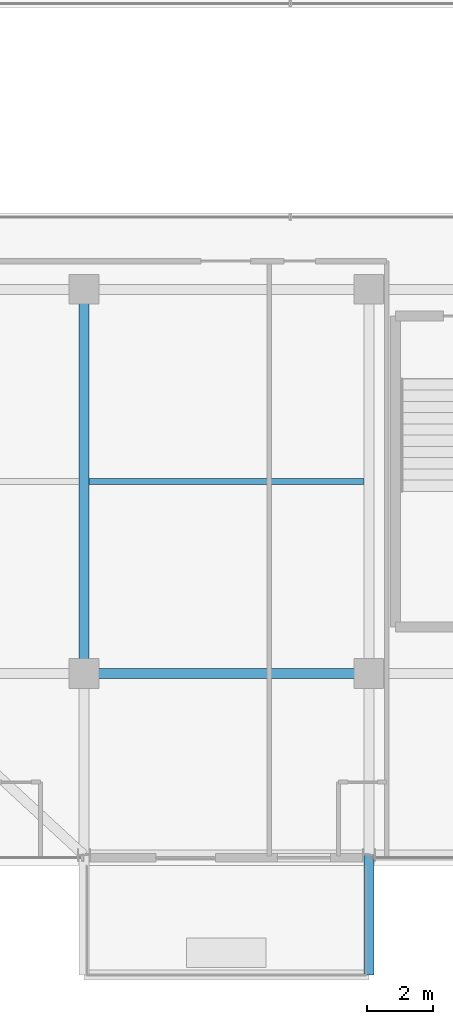
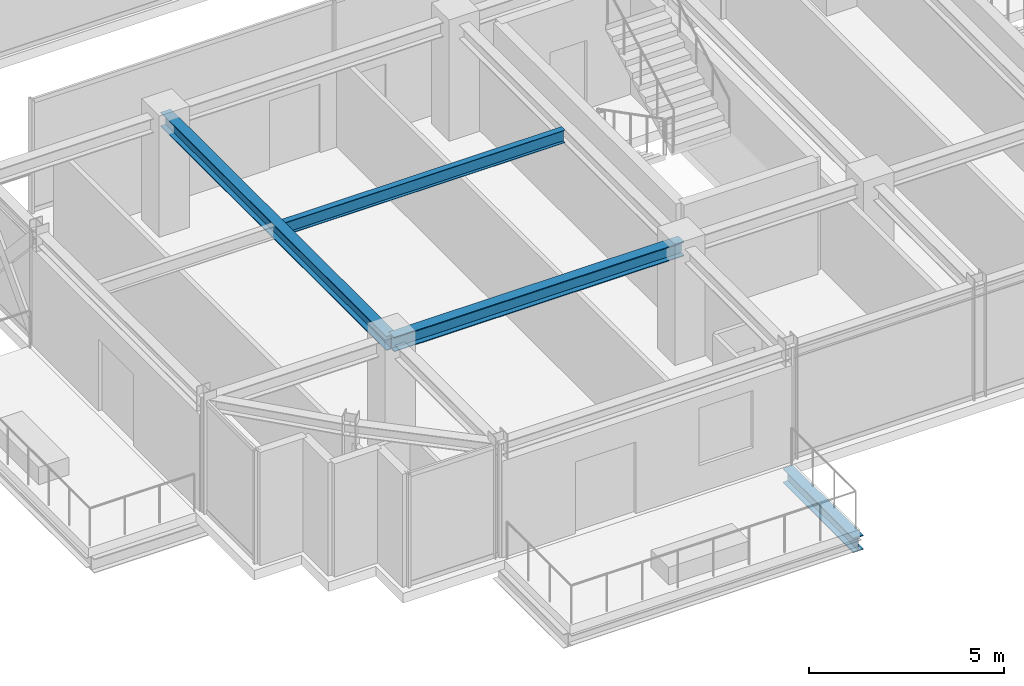
# One storey, part 6 of 37: 4 beams.
"""IFC4 building model written with IfcOpenShell, lengths in metres."""

from ifc_helpers import new_model, si_unit, direction, frame, origin, origin_2d, place, context, subcontext, project, spatial, i_section, extrude, source, transform, mapped, material, material_profile, profile_set, type_object, element, save


model = new_model("IFC4")

# Units and contexts
model_context = context("Model", 3, precision=1e-05, world=origin(), true_north=direction((0.0, 1.0)))
body_context = subcontext(model_context, "Body", "Model", "MODEL_VIEW")
ifc_project = project(units=[si_unit("LENGTHUNIT", "METRE"), si_unit("AREAUNIT", "SQUARE_METRE"), si_unit("VOLUMEUNIT", "CUBIC_METRE"), si_unit("PLANEANGLEUNIT", "RADIAN"), si_unit("MASSUNIT", "GRAM", prefix="KILO")], contexts=[model_context])

# Site, building, storey
site_placement = place(None, origin())
site = spatial("IfcSite", under=ifc_project, at=site_placement, CompositionType="ELEMENT")
building_placement = place(site_placement, origin())
building = spatial("IfcBuilding", under=site, at=building_placement, Name="Nahalor Promenade Grand Hotel", CompositionType="ELEMENT")
storey_placement = place(building_placement, frame((0.0, 0.0, 292.64990234375)))
storey = spatial("IfcBuildingStorey", under=building, at=storey_placement, Name="L75", CompositionType="ELEMENT", Elevation=292.64990234375)

# Beams
ifc_material = material(Name="Steel S355JR", Category="steel")
ifc_material_profile_1 = material_profile(ifc_material, i_section(OverallWidth=0.3, OverallDepth=0.45, WebThickness=0.014, FlangeThickness=0.026, at=origin_2d()), Name="HEB 450")
ifc_profile_set_1 = profile_set([ifc_material_profile_1], Name="Steel S355JR")
beam_type_1 = type_object("IfcBeamType", Name="Beam-Outrigger-HEB450", PredefinedType="BEAM", material=ifc_profile_set_1)
shared_shape_1 = source(origin(), body_context, "Body", "SweptSolid", [
    extrude(i_section(OverallWidth=0.3, OverallDepth=0.45, WebThickness=0.014, FlangeThickness=0.026, at=origin_2d()), origin(), (0.0, 0.0, 1.0), 3.6201171875),
])
beam_1_placement = place(storey_placement, frame((-8.39990234375, -26.10009765625, -0.5048828125), z_axis=(0.0, 1.0, 0.0), x_axis=(-1.0, 0.0, 0.0)))
element("IfcBeam", 1, at=beam_1_placement, inside=storey, type_object=beam_type_1, Name="BM-L75-BC-01-2", PredefinedType="BEAM", context=body_context, shape_type="MappedRepresentation", body=[
    mapped(shared_shape_1, transform((0.0, 0.0, 0.0), scale=1.0)),
])
ifc_material_profile_2 = material_profile(ifc_material, i_section(OverallWidth=0.3, OverallDepth=0.45, WebThickness=0.014, FlangeThickness=0.026, at=origin_2d()), Name="HEB 450")
ifc_profile_set_2 = profile_set([ifc_material_profile_2], Name="Steel S355JR")
beam_type_2 = type_object("IfcBeamType", Name="Beam-Girder-HEB450", PredefinedType="BEAM", material=ifc_profile_set_2)
shared_shape_2 = source(origin(), body_context, "Body", "SweptSolid", [
    extrude(i_section(OverallWidth=0.3, OverallDepth=0.45, WebThickness=0.014, FlangeThickness=0.026, at=origin_2d()), origin(), (0.0, 0.0, 1.0), 8.60009765625),
])
beam_2_placement = place(storey_placement, frame((-17.0, -17.0, 3.3251953125), z_axis=(1.0, 0.0, 0.0), x_axis=(0.0, 1.0, 0.0)))
element("IfcBeam", 2, at=beam_2_placement, inside=storey, type_object=beam_type_2, Name="BM-L75-GX-0-1", PredefinedType="BEAM", context=body_context, shape_type="MappedRepresentation", body=[
    mapped(shared_shape_2, transform((0.0, 0.0, 0.0), scale=1.0)),
])
shared_shape_3 = source(origin(), body_context, "Body", "SweptSolid", [
    extrude(i_section(OverallWidth=0.3, OverallDepth=0.45, WebThickness=0.014, FlangeThickness=0.026, at=origin_2d()), origin(), (0.0, 0.0, 1.0), 11.60009765625),
])
beam_3_placement = place(storey_placement, frame((-17.0, -17.0, 3.3251953125), z_axis=(0.0, 1.0, 0.0), x_axis=(-1.0, 0.0, 0.0)))
element("IfcBeam", 3, at=beam_3_placement, inside=storey, type_object=beam_type_2, Name="BM-L75-GY-0-1", PredefinedType="BEAM", context=body_context, shape_type="MappedRepresentation", body=[
    mapped(shared_shape_3, transform((0.0, 0.0, 0.0), scale=1.0)),
])
ifc_material_profile_3 = material_profile(ifc_material, i_section(OverallWidth=0.18, OverallDepth=0.4, WebThickness=0.0086, FlangeThickness=0.0135, at=origin_2d()), Name="IPE 400")
ifc_profile_set_3 = profile_set([ifc_material_profile_3], Name="Steel S355JR")
beam_type_3 = type_object("IfcBeamType", Name="Beam-Joist-IPE400", PredefinedType="JOIST", material=ifc_profile_set_3)
shared_shape_4 = source(origin(), body_context, "Body", "SweptSolid", [
    extrude(i_section(OverallWidth=0.18, OverallDepth=0.4, WebThickness=0.0086, FlangeThickness=0.0135, at=origin_2d()), origin(), (0.0, 0.0, 1.0), 8.300048828125),
])
beam_4_placement = place(storey_placement, frame((-16.85009765625, -11.199951171875, 3.35009765625), z_axis=(1.0, 0.0, 0.0), x_axis=(0.0, 1.0, 0.0)))
element("IfcBeam", 4, at=beam_4_placement, inside=storey, type_object=beam_type_3, Name="BM-L75-JSW-0-1", PredefinedType="JOIST", context=body_context, shape_type="MappedRepresentation", body=[
    mapped(shared_shape_4, transform((0.0, 0.0, 0.0), scale=1.0)),
])

save(model, "model.ifc")
